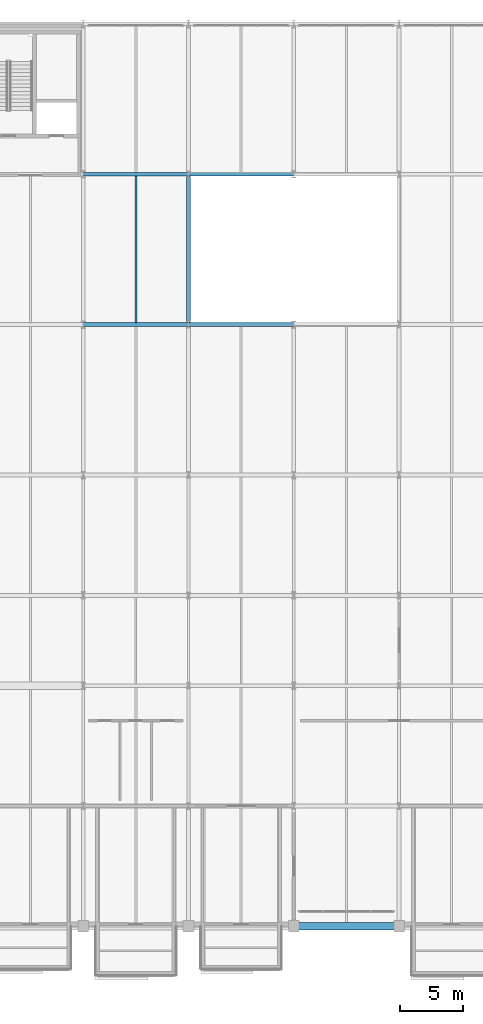
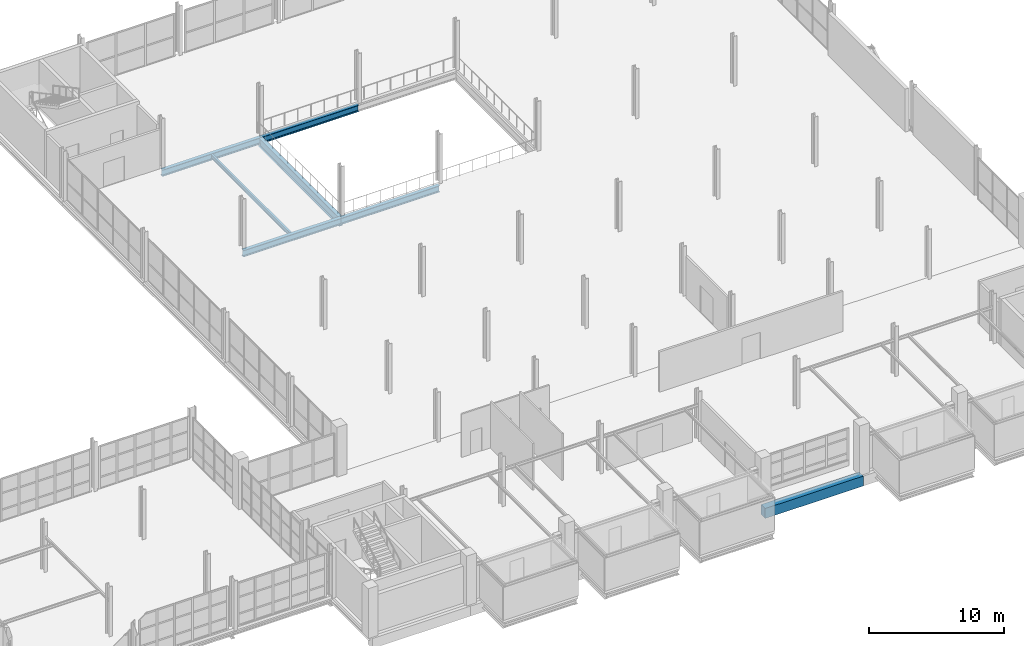
# One storey, part 33 of 109: 7 beams.
"""IFC4 building model written with IfcOpenShell, lengths in metres."""

from ifc_helpers import new_model, si_unit, direction, frame, origin, origin_2d, place, context, subcontext, project, spatial, rectangle, i_section, extrude, material, material_profile, profile_set, type_object, element, save


model = new_model("IFC4")

# Units and contexts
model_context = context("Model", 3, precision=1e-05, world=origin(), true_north=direction((0.0, 1.0)))
body_context = subcontext(model_context, "Body", "Model", "MODEL_VIEW")
ifc_project = project(units=[si_unit("LENGTHUNIT", "METRE"), si_unit("AREAUNIT", "SQUARE_METRE"), si_unit("VOLUMEUNIT", "CUBIC_METRE"), si_unit("PLANEANGLEUNIT", "RADIAN"), si_unit("MASSUNIT", "GRAM", prefix="KILO")], contexts=[model_context])

# Site, building, storey
site_placement = place(None, origin())
site = spatial("IfcSite", under=ifc_project, at=site_placement, CompositionType="ELEMENT")
building_placement = place(site_placement, origin())
building = spatial("IfcBuilding", under=site, at=building_placement, Name="Veltarok Museum of Natural Sciences", CompositionType="ELEMENT")
storey_placement = place(building_placement, frame((0.0, 0.0, 17.39990234375)))
storey = spatial("IfcBuildingStorey", under=building, at=storey_placement, Name="L03", CompositionType="ELEMENT", Elevation=17.39990234375)

# Beams
ifc_material_1 = material(Name="Steel S355J2", Category="steel")
ifc_material_profile_1 = material_profile(ifc_material_1, i_section(OverallWidth=0.300048828125, OverallDepth=0.800048828125, WebThickness=0.017578125, FlangeThickness=0.032958984375, FilletRadius=0.030029296875, at=origin_2d()), Name="HEB 800")
ifc_profile_set_1 = profile_set([ifc_material_profile_1], Name="Steel S355J2")
beam_type_1 = type_object("IfcBeamType", Name="Atrium Edge Transfer Girder HEB 800", PredefinedType="BEAM", material=ifc_profile_set_1)
beam_1_placement = place(storey_placement, frame((56.800048828125, 48.0, -0.64990234375), z_axis=(0.0, 1.0, 0.0), x_axis=(-1.0, 0.0, 0.0)))
element("IfcBeam", 1, at=beam_1_placement, inside=storey, type_object=beam_type_1, Name="Beam BM-G06 L03 7/F-G", PredefinedType="BEAM", context=body_context, shape_type="SweptSolid", body=[
    extrude(i_section(OverallWidth=0.300048828125, OverallDepth=0.800048828125, WebThickness=0.017578125, FlangeThickness=0.032958984375, FilletRadius=0.030029296875, at=origin_2d()), origin(), (0.0, 0.0, 1.0), 12.0),
])
ifc_material_2 = material(Name="Concrete C40/50", Category="concrete")
ifc_material_profile_2 = material_profile(ifc_material_2, rectangle(XDim=0.60009765625, YDim=0.89990234375, at=origin_2d()), Name="RC 600x900")
ifc_profile_set_2 = profile_set([ifc_material_profile_2], Name="Concrete C40/50")
beam_type_2 = type_object("IfcBeamType", Name="Exposed Cabinet Perimeter Spandrel RC 600x900", PredefinedType="SPANDREL", material=ifc_profile_set_2)
beam_2_placement = place(storey_placement, frame((65.199951171875, 0.0, -0.699951171875), z_axis=(1.0, 0.0, 0.0), x_axis=(0.0, 1.0, 0.0)))
element("IfcBeam", 2, at=beam_2_placement, inside=storey, type_object=beam_type_2, Name="Beam BM-SP01 L03 8-9/A", PredefinedType="SPANDREL", context=body_context, shape_type="SweptSolid", body=[
    extrude(rectangle(XDim=0.60009765625, YDim=0.89990234375, at=origin_2d()), origin(), (0.0, 0.0, 1.0), 8.400146484375),
])
ifc_material_profile_3 = material_profile(ifc_material_1, i_section(OverallWidth=0.300048828125, OverallDepth=0.590087890625, WebThickness=0.012939453125, FlangeThickness=0.02490234375, FilletRadius=0.027099609375, at=origin_2d()), Name="HEA 600")
ifc_profile_set_3 = profile_set([ifc_material_profile_3], Name="Steel S355J2")
beam_type_3 = type_object("IfcBeamType", Name="Heavy Archive Girder HEA 600", PredefinedType="BEAM", material=ifc_profile_set_3)
beam_3_placement = place(storey_placement, frame((48.39990234375, 48.0, -0.544921875), z_axis=(1.0, 0.0, 0.0), x_axis=(0.0, 1.0, 0.0)))
element("IfcBeam", 3, at=beam_3_placement, inside=storey, type_object=beam_type_3, Name="Beam BM-G07 L03 6-7/F", PredefinedType="BEAM", context=body_context, shape_type="SweptSolid", body=[
    extrude(i_section(OverallWidth=0.300048828125, OverallDepth=0.590087890625, WebThickness=0.012939453125, FlangeThickness=0.02490234375, FilletRadius=0.027099609375, at=origin_2d()), origin(), (0.0, 0.0, 1.0), 8.400146484375),
])
beam_4_placement = place(storey_placement, frame((56.800048828125, 48.0, -0.544921875), z_axis=(1.0, 0.0, 0.0), x_axis=(0.0, 1.0, 0.0)))
element("IfcBeam", 4, at=beam_4_placement, inside=storey, type_object=beam_type_3, Name="Beam BM-G07 L03 7-8/F", PredefinedType="BEAM", context=body_context, shape_type="SweptSolid", body=[
    extrude(i_section(OverallWidth=0.300048828125, OverallDepth=0.590087890625, WebThickness=0.012939453125, FlangeThickness=0.02490234375, FilletRadius=0.027099609375, at=origin_2d()), origin(), (0.0, 0.0, 1.0), 8.39990234375),
])
beam_5_placement = place(storey_placement, frame((48.39990234375, 60.0, -0.544921875), z_axis=(1.0, 0.0, 0.0), x_axis=(0.0, 1.0, 0.0)))
element("IfcBeam", 5, at=beam_5_placement, inside=storey, type_object=beam_type_3, Name="Beam BM-G07 L03 6-7/G", PredefinedType="BEAM", context=body_context, shape_type="SweptSolid", body=[
    extrude(i_section(OverallWidth=0.300048828125, OverallDepth=0.590087890625, WebThickness=0.012939453125, FlangeThickness=0.02490234375, FilletRadius=0.027099609375, at=origin_2d()), origin(), (0.0, 0.0, 1.0), 8.400146484375),
])
beam_6_placement = place(storey_placement, frame((56.800048828125, 60.0, -0.544921875), z_axis=(1.0, 0.0, 0.0), x_axis=(0.0, 1.0, 0.0)))
element("IfcBeam", 6, at=beam_6_placement, inside=storey, type_object=beam_type_3, Name="Beam BM-G07 L03 7-8/G", PredefinedType="BEAM", context=body_context, shape_type="SweptSolid", body=[
    extrude(i_section(OverallWidth=0.300048828125, OverallDepth=0.590087890625, WebThickness=0.012939453125, FlangeThickness=0.02490234375, FilletRadius=0.027099609375, at=origin_2d()), origin(), (0.0, 0.0, 1.0), 8.39990234375),
])
ifc_material_profile_4 = material_profile(ifc_material_1, i_section(OverallWidth=0.169921875, OverallDepth=0.360107421875, WebThickness=0.008056640625, FlangeThickness=0.0126953125, FilletRadius=0.01806640625, at=origin_2d()), Name="IPE 360")
ifc_profile_set_4 = profile_set([ifc_material_profile_4], Name="Steel S355J2")
beam_type_4 = type_object("IfcBeamType", Name="Long-Bay Composite Joist IPE 360", PredefinedType="JOIST", material=ifc_profile_set_4)
beam_7_placement = place(storey_placement, frame((52.60009765625, 48.14794921875, -0.429931640625), z_axis=(0.0, 1.0, 0.0), x_axis=(-1.0, 0.0, 0.0)))
element("IfcBeam", 7, at=beam_7_placement, inside=storey, type_object=beam_type_4, Name="Secondary Joist BM-J01 L03 6-7/F-G.1", PredefinedType="JOIST", context=body_context, shape_type="SweptSolid", body=[
    extrude(i_section(OverallWidth=0.169921875, OverallDepth=0.360107421875, WebThickness=0.008056640625, FlangeThickness=0.0126953125, FilletRadius=0.01806640625, at=origin_2d()), origin(), (0.0, 0.0, 1.0), 11.7041015625),
])

save(model, "model.ifc")
